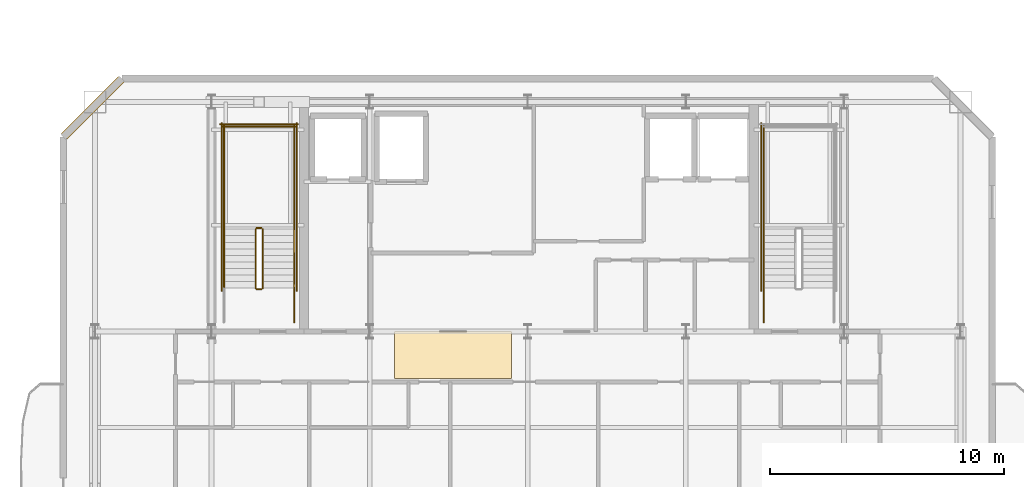
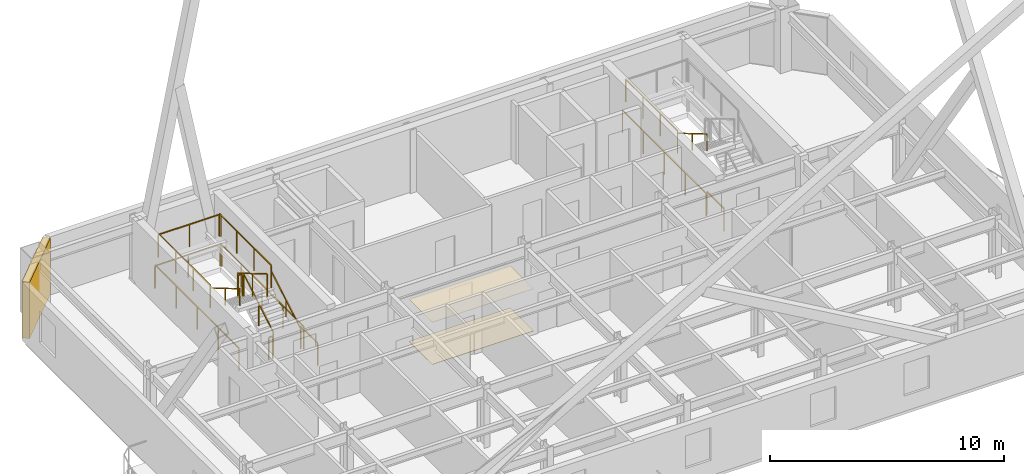
# One storey, part 7 of 9: 17 railings, 2 coverings, 1 shading device.
"""IFC4 building model written with IfcOpenShell, lengths in metres."""

from ifc_helpers import new_model, si_unit, direction, frame, origin, origin_2d, place, context, subcontext, project, spatial, polyline, rectangle, outline, extrude, material, layer, layer_set, type_object, element, save


model = new_model("IFC4")

# Units and contexts
model_context = context("Model", 3, precision=1e-05, world=origin(), true_north=direction((0.0, 1.0)))
body_context = subcontext(model_context, "Body", "Model", "MODEL_VIEW")
ifc_project = project(units=[si_unit("LENGTHUNIT", "METRE"), si_unit("AREAUNIT", "SQUARE_METRE"), si_unit("VOLUMEUNIT", "CUBIC_METRE"), si_unit("PLANEANGLEUNIT", "RADIAN"), si_unit("MASSUNIT", "GRAM", prefix="KILO")], contexts=[model_context])

# Site, building, storey
site_placement = place(None, origin())
site = spatial("IfcSite", under=ifc_project, at=site_placement, CompositionType="ELEMENT")
building_placement = place(site_placement, origin())
building = spatial("IfcBuilding", under=site, at=building_placement, Name="Haevon Station Towers", CompositionType="ELEMENT")
storey_placement = place(building_placement, frame((0.0, 0.0, 239.39990234375)))
storey = spatial("IfcBuildingStorey", under=building, at=storey_placement, Name="L66", CompositionType="ELEMENT", Elevation=239.39990234375)

# Coverings
ifc_material_1 = material(Name="Gypsum acoustic ceiling tile", Category="concrete")
ifc_layer_1 = layer(ifc_material_1, 0.014892578125)
ifc_layer_set_1 = layer_set([ifc_layer_1], Name="Gypsum acoustic ceiling tile")
covering_type_1 = type_object("IfcCoveringType", Name="COV-CEIL15", PredefinedType="CEILING", material=ifc_layer_set_1)
covering_1_placement = place(storey_placement, frame((0.0, 0.0, 2.2001953125)))
element("IfcCovering", 1, at=covering_1_placement, inside=storey, type_object=covering_type_1, Name="L66 Acoustic Corridor Ceiling", PredefinedType="CEILING", context=body_context, shape_type="SweptSolid", body=[
    extrude(outline(polyline([(31.800048828125, 36.199951171875), (36.800048828125, 36.199951171875), (36.800048828125, 38.199951171875), (31.800048828125, 38.199951171875), (31.800048828125, 36.199951171875)])), origin(), (0.0, 0.0, 1.0), 0.014892578125),
])
ifc_material_2 = material(Name="Granite stone paving", Category="masonry")
ifc_layer_2 = layer(ifc_material_2, 0.02001953125)
ifc_layer_set_2 = layer_set([ifc_layer_2], Name="Granite stone paving")
covering_type_2 = type_object("IfcCoveringType", Name="COV-FLR20", PredefinedType="FLOORING", material=ifc_layer_set_2)
covering_2_placement = place(storey_placement, origin())
element("IfcCovering", 2, at=covering_2_placement, inside=storey, type_object=covering_type_2, Name="L66 Corridor Stone Flooring", PredefinedType="FLOORING", context=body_context, shape_type="SweptSolid", body=[
    extrude(outline(polyline([(31.800048828125, 36.199951171875), (36.800048828125, 36.199951171875), (36.800048828125, 38.199951171875), (31.800048828125, 38.199951171875), (31.800048828125, 36.199951171875)])), origin(), (0.0, 0.0, 1.0), 0.02001953125),
])

# Railings
ifc_material_3 = material(Name="Steel S355", Category="steel")
railing_type_1 = type_object("IfcRailingType", Name="GRD-STR1200", PredefinedType="GUARDRAIL", material=ifc_material_3)
railing_1_placement = place(storey_placement, frame((26.179931640625, 40.050048828125, 0.1650390625)))
element("IfcRailing", 3, at=railing_1_placement, inside=storey, type_object=railing_type_1, Name="L66 ST1 Stair Guard 1", PredefinedType="GUARDRAIL", context=body_context, shape_type="SweptSolid", body=[
    extrude(rectangle(XDim=0.048095703125, YDim=0.048095703125, at=origin_2d()), frame((0.0, 0.0, 1.17578125), z_axis=(0.0, 0.86152411907, 0.507716645641), x_axis=(-1.0, 0.0, 0.0)), (0.0, 0.0, 1.0), 2.925048828125),
    extrude(rectangle(XDim=0.0419921875, YDim=0.0419921875, at=origin_2d()), origin(), (0.0, 0.0, 1.0), 1.15185546875),
    extrude(rectangle(XDim=0.0419921875, YDim=0.0419921875, at=origin_2d()), frame((0.0, 1.260009765625, 0.74267578125)), (0.0, 0.0, 1.0), 1.15185546875),
    extrude(rectangle(XDim=0.0419921875, YDim=0.0419921875, at=origin_2d()), frame((0.0, 2.52001953125, 1.485107421875)), (0.0, 0.0, 1.0), 1.15185546875),
])
railing_2_placement = place(storey_placement, frame((26.1298828125, 42.6201171875, 1.650146484375)))
element("IfcRailing", 4, at=railing_2_placement, inside=storey, type_object=railing_type_1, Name="L66 ST1 Stair Guard 2", PredefinedType="GUARDRAIL", context=body_context, shape_type="SweptSolid", body=[
    extrude(rectangle(XDim=0.048095703125, YDim=0.048095703125, at=origin_2d()), frame((0.0, 0.0, 1.17578125), z_axis=(-1.0, 0.0, 0.0), x_axis=(0.0, -1.0, 0.0)), (0.0, 0.0, 1.0), 0.199951171875),
    extrude(rectangle(XDim=0.0419921875, YDim=0.0419921875, at=origin_2d()), origin(), (0.0, 0.0, 1.0), 1.15185546875),
    extrude(rectangle(XDim=0.0419921875, YDim=0.0419921875, at=origin_2d()), frame((-0.199951171875, 0.0, 0.0)), (0.0, 0.0, 1.0), 1.15185546875),
])
for number, where, name in (
    (5, (27.530029296875, 42.570068359375, 1.650146484375), "L66 ST1 Stair Guard 3"),
    (6, (24.530029296875, 42.570068359375, 1.650146484375), "L66 ST1 Stair Guard 4"),
):
    element("IfcRailing", number, at=place(storey_placement, frame(where)), inside=storey, type_object=railing_type_1, Name=name, PredefinedType="GUARDRAIL", context=body_context, shape_type="SweptSolid", body=[
        extrude(rectangle(XDim=0.048095703125, YDim=0.048095703125, at=origin_2d()), frame((0.0, 0.0, 1.17578125), z_axis=(0.0, 1.0, 0.0), x_axis=(-1.0, 0.0, 0.0)), (0.0, 0.0, 1.0), 4.429931640625),
        extrude(rectangle(XDim=0.0419921875, YDim=0.0419921875, at=origin_2d()), origin(), (0.0, 0.0, 1.0), 1.15185546875),
        extrude(rectangle(XDim=0.0419921875, YDim=0.0419921875, at=origin_2d()), frame((0.0, 1.4765625, 0.0)), (0.0, 0.0, 1.0), 1.15185546875),
        extrude(rectangle(XDim=0.0419921875, YDim=0.0419921875, at=origin_2d()), frame((0.0, 2.953369140625, 0.0)), (0.0, 0.0, 1.0), 1.15185546875),
        extrude(rectangle(XDim=0.0419921875, YDim=0.0419921875, at=origin_2d()), frame((0.0, 4.429931640625, 0.0)), (0.0, 0.0, 1.0), 1.15185546875),
    ])
railing_3_placement = place(storey_placement, frame((27.580078125, 46.949951171875, 1.650146484375)))
element("IfcRailing", 7, at=railing_3_placement, inside=storey, type_object=railing_type_1, Name="L66 ST1 Stair Guard 5", PredefinedType="GUARDRAIL", context=body_context, shape_type="SweptSolid", body=[
    extrude(rectangle(XDim=0.048095703125, YDim=0.048095703125, at=origin_2d()), frame((0.0, 0.0, 1.17578125), z_axis=(-1.0, 0.0, 0.0), x_axis=(0.0, -1.0, 0.0)), (0.0, 0.0, 1.0), 3.10009765625),
    extrude(rectangle(XDim=0.0419921875, YDim=0.0419921875, at=origin_2d()), origin(), (0.0, 0.0, 1.0), 1.15185546875),
    extrude(rectangle(XDim=0.0419921875, YDim=0.0419921875, at=origin_2d()), frame((-1.550048828125, 0.0, 0.0)), (0.0, 0.0, 1.0), 1.15185546875),
    extrude(rectangle(XDim=0.0419921875, YDim=0.0419921875, at=origin_2d()), frame((-3.10009765625, 0.0, 0.0)), (0.0, 0.0, 1.0), 1.15185546875),
])
railing_4_placement = place(storey_placement, frame((25.8798828125, 42.570068359375, 1.815185546875)))
element("IfcRailing", 8, at=railing_4_placement, inside=storey, type_object=railing_type_1, Name="L66 ST1 Stair Guard 6", PredefinedType="GUARDRAIL", context=body_context, shape_type="SweptSolid", body=[
    extrude(rectangle(XDim=0.048095703125, YDim=0.048095703125, at=origin_2d()), frame((0.0, 0.0, 1.17578125), z_axis=(0.0, -0.861560626758, 0.507654692109), x_axis=(1.0, 0.0, 0.0)), (0.0, 0.0, 1.0), 2.925048828125),
    extrude(rectangle(XDim=0.0419921875, YDim=0.0419921875, at=origin_2d()), origin(), (0.0, 0.0, 1.0), 1.15185546875),
    extrude(rectangle(XDim=0.0419921875, YDim=0.0419921875, at=origin_2d()), frame((0.0, -1.260009765625, 0.742431640625)), (0.0, 0.0, 1.0), 1.15185546875),
    extrude(rectangle(XDim=0.0419921875, YDim=0.0419921875, at=origin_2d()), frame((0.0, -2.52001953125, 1.48486328125)), (0.0, 0.0, 1.0), 1.15185546875),
])
railing_5_placement = place(storey_placement, frame((26.1298828125, 40.0, 0.0)))
element("IfcRailing", 9, at=railing_5_placement, inside=storey, type_object=railing_type_1, Name="L66 ST1 Stair Guard 7", PredefinedType="GUARDRAIL", context=body_context, shape_type="SweptSolid", body=[
    extrude(rectangle(XDim=0.048095703125, YDim=0.048095703125, at=origin_2d()), frame((0.0, 0.0, 1.17578125), z_axis=(-1.0, 0.0, 0.0), x_axis=(0.0, -1.0, 0.0)), (0.0, 0.0, 1.0), 0.199951171875),
    extrude(rectangle(XDim=0.0419921875, YDim=0.0419921875, at=origin_2d()), origin(), (0.0, 0.0, 1.0), 1.15185546875),
    extrude(rectangle(XDim=0.0419921875, YDim=0.0419921875, at=origin_2d()), frame((-0.199951171875, 0.0, 0.0)), (0.0, 0.0, 1.0), 1.15185546875),
])
railing_6_placement = place(storey_placement, frame((27.530029296875, 38.60009765625, 0.0)))
element("IfcRailing", 10, at=railing_6_placement, inside=storey, type_object=railing_type_1, Name="L66 ST1 Stair Guard 8", PredefinedType="GUARDRAIL", context=body_context, shape_type="SweptSolid", body=[
    extrude(rectangle(XDim=0.048095703125, YDim=0.048095703125, at=origin_2d()), frame((0.0, 0.0, 1.17578125), z_axis=(0.0, 1.0, 0.0), x_axis=(-1.0, 0.0, 0.0)), (0.0, 0.0, 1.0), 1.449951171875),
    extrude(rectangle(XDim=0.0419921875, YDim=0.0419921875, at=origin_2d()), origin(), (0.0, 0.0, 1.0), 1.15185546875),
    extrude(rectangle(XDim=0.0419921875, YDim=0.0419921875, at=origin_2d()), frame((0.0, 1.449951171875, 0.0)), (0.0, 0.0, 1.0), 1.15185546875),
])
for number, where, name in (
    (11, (27.6298828125, 39.949951171875, 0.0), "L66 ST1 Stair Guard 10"),
    (12, (24.429931640625, 39.949951171875, 0.0), "L66 ST1 Stair Guard 11"),
):
    element("IfcRailing", number, at=place(storey_placement, frame(where)), inside=storey, type_object=railing_type_1, Name=name, PredefinedType="GUARDRAIL", context=body_context, shape_type="SweptSolid", body=[
        extrude(rectangle(XDim=0.048095703125, YDim=0.048095703125, at=origin_2d()), frame((0.0, 0.0, 1.17578125), z_axis=(0.0, 1.0, 0.0), x_axis=(-1.0, 0.0, 0.0)), (0.0, 0.0, 1.0), 7.150146484375),
        extrude(rectangle(XDim=0.0419921875, YDim=0.0419921875, at=origin_2d()), origin(), (0.0, 0.0, 1.0), 1.15185546875),
        extrude(rectangle(XDim=0.0419921875, YDim=0.0419921875, at=origin_2d()), frame((0.0, 1.78759765625, 0.0)), (0.0, 0.0, 1.0), 1.15185546875),
        extrude(rectangle(XDim=0.0419921875, YDim=0.0419921875, at=origin_2d()), frame((0.0, 3.5751953125, 0.0)), (0.0, 0.0, 1.0), 1.15185546875),
        extrude(rectangle(XDim=0.0419921875, YDim=0.0419921875, at=origin_2d()), frame((0.0, 5.362548828125, 0.0)), (0.0, 0.0, 1.0), 1.15185546875),
        extrude(rectangle(XDim=0.0419921875, YDim=0.0419921875, at=origin_2d()), frame((0.0, 7.150146484375, 0.0)), (0.0, 0.0, 1.0), 1.15185546875),
    ])
railing_7_placement = place(storey_placement, frame((27.679931640625, 47.050048828125, 0.0)))
element("IfcRailing", 13, at=railing_7_placement, inside=storey, type_object=railing_type_1, Name="L66 ST1 Stair Guard 12", PredefinedType="GUARDRAIL", context=body_context, shape_type="SweptSolid", body=[
    extrude(rectangle(XDim=0.048095703125, YDim=0.048095703125, at=origin_2d()), frame((0.0, 0.0, 1.17578125), z_axis=(-1.0, 0.0, 0.0), x_axis=(0.0, -1.0, 0.0)), (0.0, 0.0, 1.0), 3.300048828125),
    extrude(rectangle(XDim=0.0419921875, YDim=0.0419921875, at=origin_2d()), origin(), (0.0, 0.0, 1.0), 1.15185546875),
    extrude(rectangle(XDim=0.0419921875, YDim=0.0419921875, at=origin_2d()), frame((-1.64990234375, 0.0, 0.0)), (0.0, 0.0, 1.0), 1.15185546875),
    extrude(rectangle(XDim=0.0419921875, YDim=0.0419921875, at=origin_2d()), frame((-3.300048828125, 0.0, 0.0)), (0.0, 0.0, 1.0), 1.15185546875),
])
railing_8_placement = place(storey_placement, frame((47.570068359375, 42.570068359375, 1.650146484375)))
element("IfcRailing", 14, at=railing_8_placement, inside=storey, type_object=railing_type_1, Name="L66 ST2 Stair Guard 4", PredefinedType="GUARDRAIL", context=body_context, shape_type="SweptSolid", body=[
    extrude(rectangle(XDim=0.048095703125, YDim=0.048095703125, at=origin_2d()), frame((0.0, 0.0, 1.17578125), z_axis=(0.0, 1.0, 0.0), x_axis=(-1.0, 0.0, 0.0)), (0.0, 0.0, 1.0), 4.429931640625),
    extrude(rectangle(XDim=0.0419921875, YDim=0.0419921875, at=origin_2d()), origin(), (0.0, 0.0, 1.0), 1.15185546875),
    extrude(rectangle(XDim=0.0419921875, YDim=0.0419921875, at=origin_2d()), frame((0.0, 1.4765625, 0.0)), (0.0, 0.0, 1.0), 1.15185546875),
    extrude(rectangle(XDim=0.0419921875, YDim=0.0419921875, at=origin_2d()), frame((0.0, 2.953369140625, 0.0)), (0.0, 0.0, 1.0), 1.15185546875),
    extrude(rectangle(XDim=0.0419921875, YDim=0.0419921875, at=origin_2d()), frame((0.0, 4.429931640625, 0.0)), (0.0, 0.0, 1.0), 1.15185546875),
])
railing_9_placement = place(storey_placement, frame((47.570068359375, 38.60009765625, 0.0)))
element("IfcRailing", 15, at=railing_9_placement, inside=storey, type_object=railing_type_1, Name="L66 ST2 Stair Guard 9", PredefinedType="GUARDRAIL", context=body_context, shape_type="SweptSolid", body=[
    extrude(rectangle(XDim=0.048095703125, YDim=0.048095703125, at=origin_2d()), frame((0.0, 0.0, 1.17578125), z_axis=(0.0, 1.0, 0.0), x_axis=(-1.0, 0.0, 0.0)), (0.0, 0.0, 1.0), 1.449951171875),
    extrude(rectangle(XDim=0.0419921875, YDim=0.0419921875, at=origin_2d()), origin(), (0.0, 0.0, 1.0), 1.15185546875),
    extrude(rectangle(XDim=0.0419921875, YDim=0.0419921875, at=origin_2d()), frame((0.0, 1.449951171875, 0.0)), (0.0, 0.0, 1.0), 1.15185546875),
])
railing_10_placement = place(storey_placement, frame((47.469970703125, 39.949951171875, 0.0)))
element("IfcRailing", 16, at=railing_10_placement, inside=storey, type_object=railing_type_1, Name="L66 ST2 Stair Guard 11", PredefinedType="GUARDRAIL", context=body_context, shape_type="SweptSolid", body=[
    extrude(rectangle(XDim=0.048095703125, YDim=0.048095703125, at=origin_2d()), frame((0.0, 0.0, 1.17578125), z_axis=(0.0, 1.0, 0.0), x_axis=(-1.0, 0.0, 0.0)), (0.0, 0.0, 1.0), 7.150146484375),
    extrude(rectangle(XDim=0.0419921875, YDim=0.0419921875, at=origin_2d()), origin(), (0.0, 0.0, 1.0), 1.15185546875),
    extrude(rectangle(XDim=0.0419921875, YDim=0.0419921875, at=origin_2d()), frame((0.0, 1.78759765625, 0.0)), (0.0, 0.0, 1.0), 1.15185546875),
    extrude(rectangle(XDim=0.0419921875, YDim=0.0419921875, at=origin_2d()), frame((0.0, 3.5751953125, 0.0)), (0.0, 0.0, 1.0), 1.15185546875),
    extrude(rectangle(XDim=0.0419921875, YDim=0.0419921875, at=origin_2d()), frame((0.0, 5.362548828125, 0.0)), (0.0, 0.0, 1.0), 1.15185546875),
    extrude(rectangle(XDim=0.0419921875, YDim=0.0419921875, at=origin_2d()), frame((0.0, 7.150146484375, 0.0)), (0.0, 0.0, 1.0), 1.15185546875),
])
railing_type_2 = type_object("IfcRailingType", Name="HND-STR900", PredefinedType="HANDRAIL", material=ifc_material_3)
railing_11_placement = place(storey_placement, frame((27.530029296875, 40.050048828125, 0.1650390625)))
element("IfcRailing", 17, at=railing_11_placement, inside=storey, type_object=railing_type_2, Name="L66 ST1 Stair Handrail 1", PredefinedType="HANDRAIL", context=body_context, shape_type="SweptSolid", body=[
    extrude(rectangle(XDim=0.048095703125, YDim=0.048095703125, at=origin_2d()), frame((0.0, 0.0, 0.8759765625), z_axis=(0.0, 0.86152411907, 0.507716645641), x_axis=(-1.0, 0.0, 0.0)), (0.0, 0.0, 1.0), 2.925048828125),
    extrude(rectangle(XDim=0.0419921875, YDim=0.0419921875, at=origin_2d()), origin(), (0.0, 0.0, 1.0), 0.851806640625),
    extrude(rectangle(XDim=0.0419921875, YDim=0.0419921875, at=origin_2d()), frame((0.0, 1.260009765625, 0.74267578125)), (0.0, 0.0, 1.0), 0.851806640625),
    extrude(rectangle(XDim=0.0419921875, YDim=0.0419921875, at=origin_2d()), frame((0.0, 2.52001953125, 1.485107421875)), (0.0, 0.0, 1.0), 0.851806640625),
])
for number, where, name in (
    (18, (24.530029296875, 42.570068359375, 1.815185546875), "L66 ST1 Stair Handrail 2"),
    (19, (47.570068359375, 42.570068359375, 1.815185546875), "L66 ST2 Stair Handrail 2"),
):
    element("IfcRailing", number, at=place(storey_placement, frame(where)), inside=storey, type_object=railing_type_2, Name=name, PredefinedType="HANDRAIL", context=body_context, shape_type="SweptSolid", body=[
        extrude(rectangle(XDim=0.048095703125, YDim=0.048095703125, at=origin_2d()), frame((0.0, 0.0, 0.8759765625), z_axis=(0.0, -0.861560626758, 0.507654692109), x_axis=(1.0, 0.0, 0.0)), (0.0, 0.0, 1.0), 2.925048828125),
        extrude(rectangle(XDim=0.0419921875, YDim=0.0419921875, at=origin_2d()), origin(), (0.0, 0.0, 1.0), 0.851806640625),
        extrude(rectangle(XDim=0.0419921875, YDim=0.0419921875, at=origin_2d()), frame((0.0, -1.260009765625, 0.742431640625)), (0.0, 0.0, 1.0), 0.851806640625),
        extrude(rectangle(XDim=0.0419921875, YDim=0.0419921875, at=origin_2d()), frame((0.0, -2.52001953125, 1.48486328125)), (0.0, 0.0, 1.0), 0.851806640625),
    ])

# Shading device
ifc_material_4 = material(Name="Anodised aluminium 6063-T6", Category="aluminium")
ifc_layer_3 = layer(ifc_material_4, 0.139892578125)
ifc_layer_set_3 = layer_set([ifc_layer_3], Name="Anodised aluminium 6063-T6")
shading_device_type = type_object("IfcShadingDeviceType", Name="SHD-WIND-BAFFLE", PredefinedType="SHUTTER", material=ifc_layer_set_3)
shading_device_placement = place(storey_placement, frame((18.925048828125, 47.75, 0.05029296875), z_axis=(0.0, 0.0, 1.0), x_axis=(0.707106781187, 0.707106781187, 0.0)))
element("IfcShadingDevice", 20, at=shading_device_placement, inside=storey, type_object=shading_device_type, Name="Tower 1 L66 Wind-Corner Aerofoil Baffle NWC", PredefinedType="SHUTTER", context=body_context, shape_type="SweptSolid", body=[
    extrude(rectangle(XDim=3.435546875, YDim=0.340087890625, at=origin_2d()), origin(), (0.0, 0.0, 1.0), 2.929931640625),
])

save(model, "model.ifc")
